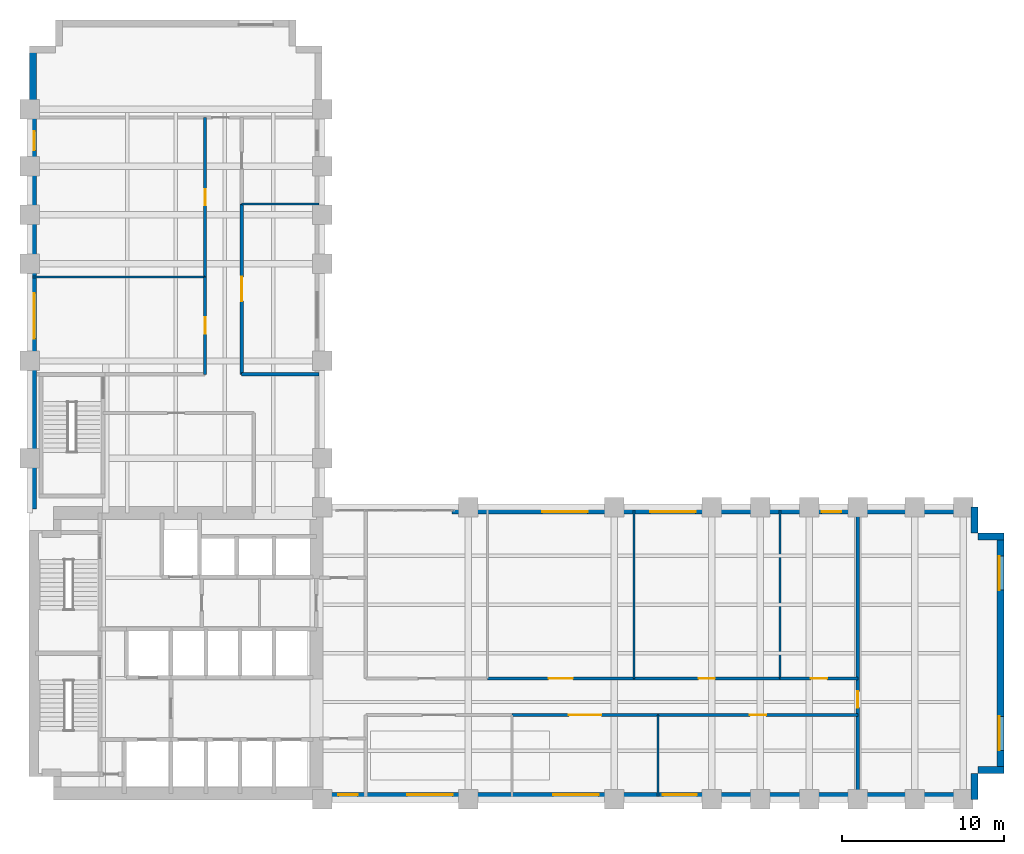
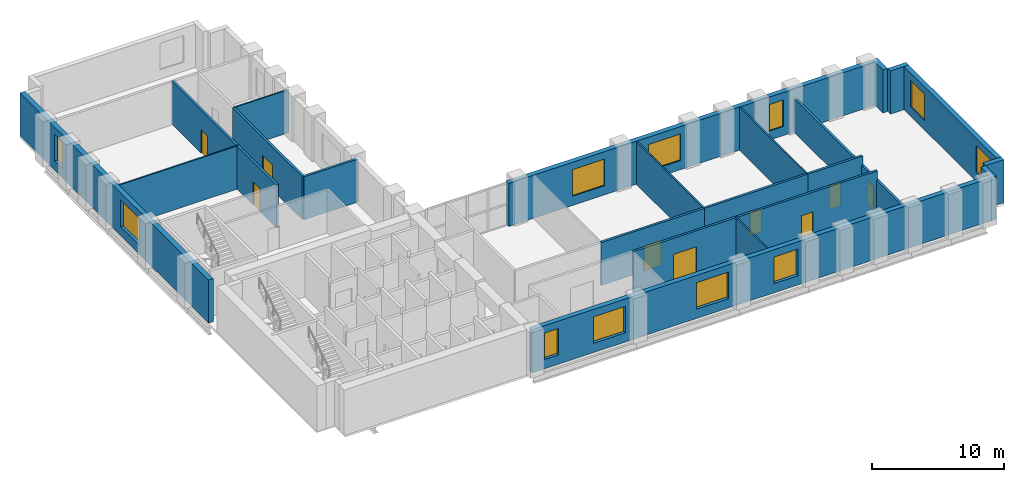
# One storey, part 6 of 8: 23 walls, 11 windows, 9 doors, 20 openings.
"""IFC4 building model written with IfcOpenShell, lengths in metres."""

from ifc_helpers import new_model, si_unit, direction, frame, frame_2d, origin, place, context, subcontext, project, spatial, rectangle, extrude, material, layer, layer_set, type_object, element, fill, save


model = new_model("IFC4")

# Units and contexts
model_context = context("Model", 3, precision=1e-05, world=origin(), true_north=direction((0.0, 1.0)))
body_context = subcontext(model_context, "Body", "Model", "MODEL_VIEW")
ifc_project = project(units=[si_unit("LENGTHUNIT", "METRE"), si_unit("AREAUNIT", "SQUARE_METRE"), si_unit("VOLUMEUNIT", "CUBIC_METRE"), si_unit("PLANEANGLEUNIT", "RADIAN"), si_unit("MASSUNIT", "GRAM", prefix="KILO")], contexts=[model_context])

# Site, building, storey
site_placement = place(None, origin())
site = spatial("IfcSite", under=ifc_project, at=site_placement, CompositionType="ELEMENT")
building_placement = place(site_placement, origin())
building = spatial("IfcBuilding", under=site, at=building_placement, Name="Mawjdan Bourse Tower", CompositionType="ELEMENT")
storey_placement = place(building_placement, frame((0.0, 0.0, 25.800048828125)))
storey = spatial("IfcBuildingStorey", under=building, at=storey_placement, Name="L05", CompositionType="ELEMENT", Elevation=25.800048828125)

# Wall, openings, windows
ifc_material_1 = material(Name="Brick Masonry Buff", Category="masonry")
ifc_layer_1 = layer(ifc_material_1, 0.419921875)
ifc_layer_set_1 = layer_set([ifc_layer_1], Name="Brick Masonry Buff")
wall_type_1 = type_object("IfcWallType", Name="WL-BRK-BUFF-420", PredefinedType="STANDARD", material=ifc_layer_set_1)
wall_1_placement = place(storey_placement, frame((23.89990234375, 3.2099609375, 0.0), z_axis=(0.0, 0.0, 1.0), x_axis=(1.0, 0.0, 0.0)))
wall_1 = element("IfcWall", 1, at=wall_1_placement, inside=storey, type_object=wall_type_1, Name="L05 Exterior Brick Wall 1", PredefinedType="STANDARD", context=body_context, shape_type="SweptSolid", body=[
    extrude(rectangle(XDim=40.5, YDim=0.419921875, at=frame_2d((20.25, 0.0))), origin(), (0.0, 0.0, 1.0), 3.97998046875),
])
opening_1_placement = place(wall_1_placement, frame((1.10009765625, 0.0, 0.85009765625)))
opening_1 = element("IfcOpeningElement", 2, at=opening_1_placement, cuts=wall_1, Name="Opening W-L05-07", PredefinedType="OPENING", context=body_context, shape_type="SweptSolid", body=[
    extrude(rectangle(XDim=1.199951171875, YDim=2.449951171875, at=frame_2d((0.60009765625, 1.22509765625))), frame((0.0, 0.219970703125, 0.0), z_axis=(0.0, -1.0, 0.0), x_axis=(1.0, 0.0, 0.0)), (0.0, 0.0, 1.0), 0.43994140625),
])
opening_2_placement = place(wall_1_placement, frame((5.336181640625, 0.0, 0.85009765625)))
opening_2 = element("IfcOpeningElement", 3, at=opening_2_placement, cuts=wall_1, Name="Opening W-L05-08", PredefinedType="OPENING", context=body_context, shape_type="SweptSolid", body=[
    extrude(rectangle(XDim=2.800048828125, YDim=2.449951171875, at=frame_2d((1.39990234375, 1.22509765625))), frame((0.0, 0.219970703125, 0.0), z_axis=(0.0, -1.0, 0.0), x_axis=(1.0, 0.0, 0.0)), (0.0, 0.0, 1.0), 0.43994140625),
])
opening_3_placement = place(wall_1_placement, frame((14.336181640625, 0.0, 0.85009765625)))
opening_3 = element("IfcOpeningElement", 4, at=opening_3_placement, cuts=wall_1, Name="Opening W-L05-09", PredefinedType="OPENING", context=body_context, shape_type="SweptSolid", body=[
    extrude(rectangle(XDim=2.800048828125, YDim=2.449951171875, at=frame_2d((1.39990234375, 1.22509765625))), frame((0.0, 0.219970703125, 0.0), z_axis=(0.0, -1.0, 0.0), x_axis=(1.0, 0.0, 0.0)), (0.0, 0.0, 1.0), 0.43994140625),
])
opening_4_placement = place(wall_1_placement, frame((21.086181640625, 0.0, 0.85009765625)))
opening_4 = element("IfcOpeningElement", 5, at=opening_4_placement, cuts=wall_1, Name="Opening W-L05-10", PredefinedType="OPENING", context=body_context, shape_type="SweptSolid", body=[
    extrude(rectangle(XDim=2.10009765625, YDim=2.449951171875, at=frame_2d((1.050048828125, 1.22509765625))), frame((0.0, 0.219970703125, 0.0), z_axis=(0.0, -1.0, 0.0), x_axis=(1.0, 0.0, 0.0)), (0.0, 0.0, 1.0), 0.43994140625),
])
ifc_material_2 = material(Name="Solar-Control Clear Double Glazing", Category="glass")
window_type_1 = type_object("IfcWindowType", Name="WN-TRD-1200", PartitioningType="SINGLE_PANEL", PredefinedType="WINDOW", material=ifc_material_2)
window_1_placement = place(opening_1_placement, origin())
window_1 = element("IfcWindow", 6, at=window_1_placement, inside=storey, type_object=window_type_1, Name="L05 Deep-Set Masonry Window W-L05-07", OverallHeight=2.449951171875, OverallWidth=1.199951171875, PartitioningType="SINGLE_PANEL", PredefinedType="WINDOW", context=body_context, shape_type="SweptSolid", body=[
    extrude(rectangle(XDim=1.199951171875, YDim=2.449951171875, at=frame_2d((0.60009765625, 1.22509765625))), frame((0.0, 0.110107421875, 0.0), z_axis=(0.0, -1.0, 0.0), x_axis=(1.0, 0.0, 0.0)), (0.0, 0.0, 1.0), 0.06005859375),
])
fill(opening_1, window_1)
window_type_2 = type_object("IfcWindowType", Name="WN-TRD-2100", PartitioningType="SINGLE_PANEL", PredefinedType="WINDOW", material=ifc_material_2)
window_2_placement = place(opening_4_placement, origin())
window_2 = element("IfcWindow", 7, at=window_2_placement, inside=storey, type_object=window_type_2, Name="L05 Deep-Set Masonry Window W-L05-10", OverallHeight=2.449951171875, OverallWidth=2.10009765625, PartitioningType="SINGLE_PANEL", PredefinedType="WINDOW", context=body_context, shape_type="SweptSolid", body=[
    extrude(rectangle(XDim=2.10009765625, YDim=2.449951171875, at=frame_2d((1.050048828125, 1.22509765625))), frame((0.0, 0.110107421875, 0.0), z_axis=(0.0, -1.0, 0.0), x_axis=(1.0, 0.0, 0.0)), (0.0, 0.0, 1.0), 0.06005859375),
])
fill(opening_4, window_2)
window_type_3 = type_object("IfcWindowType", Name="WN-TRD-2800", PartitioningType="SINGLE_PANEL", PredefinedType="WINDOW", material=ifc_material_2)
window_3_placement = place(opening_2_placement, origin())
window_3 = element("IfcWindow", 8, at=window_3_placement, inside=storey, type_object=window_type_3, Name="L05 Deep-Set Masonry Window W-L05-08", OverallHeight=2.449951171875, OverallWidth=2.800048828125, PartitioningType="SINGLE_PANEL", PredefinedType="WINDOW", context=body_context, shape_type="SweptSolid", body=[
    extrude(rectangle(XDim=2.800048828125, YDim=2.449951171875, at=frame_2d((1.39990234375, 1.22509765625))), frame((0.0, 0.110107421875, 0.0), z_axis=(0.0, -1.0, 0.0), x_axis=(1.0, 0.0, 0.0)), (0.0, 0.0, 1.0), 0.06005859375),
])
fill(opening_2, window_3)
window_4_placement = place(opening_3_placement, origin())
window_4 = element("IfcWindow", 9, at=window_4_placement, inside=storey, type_object=window_type_3, Name="L05 Deep-Set Masonry Window W-L05-09", OverallHeight=2.449951171875, OverallWidth=2.800048828125, PartitioningType="SINGLE_PANEL", PredefinedType="WINDOW", context=body_context, shape_type="SweptSolid", body=[
    extrude(rectangle(XDim=2.800048828125, YDim=2.449951171875, at=frame_2d((1.39990234375, 1.22509765625))), frame((0.0, 0.110107421875, 0.0), z_axis=(0.0, -1.0, 0.0), x_axis=(1.0, 0.0, 0.0)), (0.0, 0.0, 1.0), 0.06005859375),
])
fill(opening_3, window_4)

# Walls
for number, where, z_axis, x_axis, name in (
    (10, (64.18994140625, 3.0, 0.0), (0.0, 0.0, 1.0), (0.0, 1.0, 0.0), "L05 Exterior Brick Wall 2"),
    (11, (64.39990234375, 4.81005859375, 0.0), (0.0, 0.0, 1.0), (1.0, 0.0, 0.0), "L05 Exterior Brick Wall 3"),
):
    element("IfcWall", number, at=place(storey_placement, frame(where, z_axis=z_axis, x_axis=x_axis)), inside=storey, type_object=wall_type_1, Name=name, PredefinedType="STANDARD", context=body_context, shape_type="SweptSolid", body=[
        extrude(rectangle(XDim=1.60009765625, YDim=0.419921875, at=frame_2d((0.800048828125, 0.0))), origin(), (0.0, 0.0, 1.0), 3.97998046875),
    ])

# Wall, openings, windows
wall_2_placement = place(storey_placement, frame((65.7900390625, 4.60009765625, 0.0), z_axis=(0.0, 0.0, 1.0), x_axis=(0.0, 1.0, 0.0)))
wall_2 = element("IfcWall", 12, at=wall_2_placement, inside=storey, type_object=wall_type_1, Name="L05 Exterior Brick Wall 4", PredefinedType="STANDARD", context=body_context, shape_type="SweptSolid", body=[
    extrude(rectangle(XDim=14.7998046875, YDim=0.419921875, at=frame_2d((7.39990234375, 0.0))), origin(), (0.0, 0.0, 1.0), 3.97998046875),
])
opening_5_placement = place(wall_2_placement, frame((1.416748046875, 0.0, 0.85009765625)))
opening_5 = element("IfcOpeningElement", 13, at=opening_5_placement, cuts=wall_2, Name="Opening W-L05-01", PredefinedType="OPENING", context=body_context, shape_type="SweptSolid", body=[
    extrude(rectangle(XDim=2.10009765625, YDim=2.449951171875, at=frame_2d((1.050048828125, 1.22509765625))), frame((0.0, 0.219970703125, 0.0), z_axis=(0.0, -1.0, 0.0), x_axis=(1.0, 0.0, 0.0)), (0.0, 0.0, 1.0), 0.43994140625),
])
opening_6_placement = place(wall_2_placement, frame((11.283203125, 0.0, 0.85009765625)))
opening_6 = element("IfcOpeningElement", 14, at=opening_6_placement, cuts=wall_2, Name="Opening W-L05-02", PredefinedType="OPENING", context=body_context, shape_type="SweptSolid", body=[
    extrude(rectangle(XDim=2.10009765625, YDim=2.449951171875, at=frame_2d((1.050048828125, 1.22509765625))), frame((0.0, 0.219970703125, 0.0), z_axis=(0.0, -1.0, 0.0), x_axis=(1.0, 0.0, 0.0)), (0.0, 0.0, 1.0), 0.43994140625),
])
window_5_placement = place(opening_5_placement, origin())
window_5 = element("IfcWindow", 15, at=window_5_placement, inside=storey, type_object=window_type_2, Name="L05 Deep-Set Masonry Window W-L05-01", OverallHeight=2.449951171875, OverallWidth=2.10009765625, PartitioningType="SINGLE_PANEL", PredefinedType="WINDOW", context=body_context, shape_type="SweptSolid", body=[
    extrude(rectangle(XDim=2.10009765625, YDim=2.449951171875, at=frame_2d((1.050048828125, 1.22509765625))), frame((0.0, 0.110107421875, 0.0), z_axis=(0.0, -1.0, 0.0), x_axis=(1.0, 0.0, 0.0)), (0.0, 0.0, 1.0), 0.06005859375),
])
fill(opening_5, window_5)
window_6_placement = place(opening_6_placement, origin())
window_6 = element("IfcWindow", 16, at=window_6_placement, inside=storey, type_object=window_type_2, Name="L05 Deep-Set Masonry Window W-L05-02", OverallHeight=2.449951171875, OverallWidth=2.10009765625, PartitioningType="SINGLE_PANEL", PredefinedType="WINDOW", context=body_context, shape_type="SweptSolid", body=[
    extrude(rectangle(XDim=2.10009765625, YDim=2.449951171875, at=frame_2d((1.050048828125, 1.22509765625))), frame((0.0, 0.110107421875, 0.0), z_axis=(0.0, -1.0, 0.0), x_axis=(1.0, 0.0, 0.0)), (0.0, 0.0, 1.0), 0.06005859375),
])
fill(opening_6, window_6)

# Walls
for number, where, z_axis, x_axis, name in (
    (17, (66.0, 19.18994140625, 0.0), (0.0, 0.0, 1.0), (-1.0, 0.0, 0.0), "L05 Exterior Brick Wall 5"),
    (18, (64.18994140625, 19.39990234375, 0.0), (0.0, 0.0, 1.0), (0.0, 1.0, 0.0), "L05 Exterior Brick Wall 6"),
):
    element("IfcWall", number, at=place(storey_placement, frame(where, z_axis=z_axis, x_axis=x_axis)), inside=storey, type_object=wall_type_1, Name=name, PredefinedType="STANDARD", context=body_context, shape_type="SweptSolid", body=[
        extrude(rectangle(XDim=1.60009765625, YDim=0.419921875, at=frame_2d((0.800048828125, 0.0))), origin(), (0.0, 0.0, 1.0), 3.97998046875),
    ])

# Wall, openings, windows
wall_3_placement = place(storey_placement, frame((64.39990234375, 20.7900390625, 0.0), z_axis=(0.0, 0.0, 1.0), x_axis=(-1.0, 0.0, 0.0)))
wall_3 = element("IfcWall", 19, at=wall_3_placement, inside=storey, type_object=wall_type_1, Name="L05 Exterior Brick Wall 7A", PredefinedType="STANDARD", context=body_context, shape_type="SweptSolid", body=[
    extrude(rectangle(XDim=32.3798828125, YDim=0.419921875, at=frame_2d((16.18994140625, 0.0))), origin(), (0.0, 0.0, 1.0), 3.97998046875),
])
opening_7_placement = place(wall_3_placement, frame((24.04150390625, 0.0, 0.85009765625)))
opening_7 = element("IfcOpeningElement", 20, at=opening_7_placement, cuts=wall_3, Name="Opening W-L05-03", PredefinedType="OPENING", context=body_context, shape_type="SweptSolid", body=[
    extrude(rectangle(XDim=2.800048828125, YDim=2.449951171875, at=frame_2d((1.39990234375, 1.22509765625))), frame((0.0, 0.219970703125, 0.0), z_axis=(0.0, -1.0, 0.0), x_axis=(1.0, 0.0, 0.0)), (0.0, 0.0, 1.0), 0.43994140625),
])
opening_8_placement = place(wall_3_placement, frame((17.38623046875, 0.0, 0.85009765625)))
opening_8 = element("IfcOpeningElement", 21, at=opening_8_placement, cuts=wall_3, Name="Opening W-L05-11", PredefinedType="OPENING", context=body_context, shape_type="SweptSolid", body=[
    extrude(rectangle(XDim=2.800048828125, YDim=2.449951171875, at=frame_2d((1.39990234375, 1.22509765625))), frame((0.0, 0.219970703125, 0.0), z_axis=(0.0, -1.0, 0.0), x_axis=(1.0, 0.0, 0.0)), (0.0, 0.0, 1.0), 0.43994140625),
])
opening_9_placement = place(wall_3_placement, frame((8.436279296875, 0.0, 0.85009765625)))
opening_9 = element("IfcOpeningElement", 22, at=opening_9_placement, cuts=wall_3, Name="Opening W-L05-12", PredefinedType="OPENING", context=body_context, shape_type="SweptSolid", body=[
    extrude(rectangle(XDim=1.199951171875, YDim=2.449951171875, at=frame_2d((0.60009765625, 1.22509765625))), frame((0.0, 0.219970703125, 0.0), z_axis=(0.0, -1.0, 0.0), x_axis=(1.0, 0.0, 0.0)), (0.0, 0.0, 1.0), 0.43994140625),
])
window_7_placement = place(opening_9_placement, origin())
window_7 = element("IfcWindow", 23, at=window_7_placement, inside=storey, type_object=window_type_1, Name="L05 Deep-Set Masonry Window W-L05-12", OverallHeight=2.449951171875, OverallWidth=1.199951171875, PartitioningType="SINGLE_PANEL", PredefinedType="WINDOW", context=body_context, shape_type="SweptSolid", body=[
    extrude(rectangle(XDim=1.199951171875, YDim=2.449951171875, at=frame_2d((0.60009765625, 1.22509765625))), frame((0.0, 0.110107421875, 0.0), z_axis=(0.0, -1.0, 0.0), x_axis=(1.0, 0.0, 0.0)), (0.0, 0.0, 1.0), 0.06005859375),
])
fill(opening_9, window_7)
window_8_placement = place(opening_7_placement, origin())
window_8 = element("IfcWindow", 24, at=window_8_placement, inside=storey, type_object=window_type_3, Name="L05 Deep-Set Masonry Window W-L05-03", OverallHeight=2.449951171875, OverallWidth=2.800048828125, PartitioningType="SINGLE_PANEL", PredefinedType="WINDOW", context=body_context, shape_type="SweptSolid", body=[
    extrude(rectangle(XDim=2.800048828125, YDim=2.449951171875, at=frame_2d((1.39990234375, 1.22509765625))), frame((0.0, 0.110107421875, 0.0), z_axis=(0.0, -1.0, 0.0), x_axis=(1.0, 0.0, 0.0)), (0.0, 0.0, 1.0), 0.06005859375),
])
fill(opening_7, window_8)
window_9_placement = place(opening_8_placement, origin())
window_9 = element("IfcWindow", 25, at=window_9_placement, inside=storey, type_object=window_type_3, Name="L05 Deep-Set Masonry Window W-L05-11", OverallHeight=2.449951171875, OverallWidth=2.800048828125, PartitioningType="SINGLE_PANEL", PredefinedType="WINDOW", context=body_context, shape_type="SweptSolid", body=[
    extrude(rectangle(XDim=2.800048828125, YDim=2.449951171875, at=frame_2d((1.39990234375, 1.22509765625))), frame((0.0, 0.110107421875, 0.0), z_axis=(0.0, -1.0, 0.0), x_axis=(1.0, 0.0, 0.0)), (0.0, 0.0, 1.0), 0.06005859375),
])
fill(opening_8, window_9)

wall_4_placement = place(storey_placement, frame((6.2099609375, 49.39990234375, 0.0), z_axis=(0.0, 0.0, 1.0), x_axis=(0.0, -1.0, 0.0)))
wall_4 = element("IfcWall", 26, at=wall_4_placement, inside=storey, type_object=wall_type_1, Name="L05 Exterior Brick Wall 14", PredefinedType="STANDARD", context=body_context, shape_type="SweptSolid", body=[
    extrude(rectangle(XDim=28.5, YDim=0.419921875, at=frame_2d((14.25, 0.0))), origin(), (0.0, 0.0, 1.0), 3.97998046875),
])
opening_10_placement = place(wall_4_placement, frame((15.22509765625, 0.0, 0.85009765625)))
opening_10 = element("IfcOpeningElement", 27, at=opening_10_placement, cuts=wall_4, Name="Opening W-L05-06", PredefinedType="OPENING", context=body_context, shape_type="SweptSolid", body=[
    extrude(rectangle(XDim=2.800048828125, YDim=2.449951171875, at=frame_2d((1.39990234375, 1.22509765625))), frame((0.0, 0.219970703125, 0.0), z_axis=(0.0, -1.0, 0.0), x_axis=(1.0, 0.0, 0.0)), (0.0, 0.0, 1.0), 0.43994140625),
])
opening_11_placement = place(wall_4_placement, frame((5.236083984375, 0.0, 0.85009765625)))
opening_11 = element("IfcOpeningElement", 28, at=opening_11_placement, cuts=wall_4, Name="Opening W-L05-13", PredefinedType="OPENING", context=body_context, shape_type="SweptSolid", body=[
    extrude(rectangle(XDim=1.199951171875, YDim=2.449951171875, at=frame_2d((0.60009765625, 1.22509765625))), frame((0.0, 0.219970703125, 0.0), z_axis=(0.0, -1.0, 0.0), x_axis=(1.0, 0.0, 0.0)), (0.0, 0.0, 1.0), 0.43994140625),
])
window_10_placement = place(opening_11_placement, origin())
window_10 = element("IfcWindow", 29, at=window_10_placement, inside=storey, type_object=window_type_1, Name="L05 Deep-Set Masonry Window W-L05-13", OverallHeight=2.449951171875, OverallWidth=1.199951171875, PartitioningType="SINGLE_PANEL", PredefinedType="WINDOW", context=body_context, shape_type="SweptSolid", body=[
    extrude(rectangle(XDim=1.199951171875, YDim=2.449951171875, at=frame_2d((0.60009765625, 1.22509765625))), frame((0.0, 0.110107421875, 0.0), z_axis=(0.0, -1.0, 0.0), x_axis=(1.0, 0.0, 0.0)), (0.0, 0.0, 1.0), 0.06005859375),
])
fill(opening_11, window_10)
window_11_placement = place(opening_10_placement, origin())
window_11 = element("IfcWindow", 30, at=window_11_placement, inside=storey, type_object=window_type_3, Name="L05 Deep-Set Masonry Window W-L05-06", OverallHeight=2.449951171875, OverallWidth=2.800048828125, PartitioningType="SINGLE_PANEL", PredefinedType="WINDOW", context=body_context, shape_type="SweptSolid", body=[
    extrude(rectangle(XDim=2.800048828125, YDim=2.449951171875, at=frame_2d((1.39990234375, 1.22509765625))), frame((0.0, 0.110107421875, 0.0), z_axis=(0.0, -1.0, 0.0), x_axis=(1.0, 0.0, 0.0)), (0.0, 0.0, 1.0), 0.06005859375),
])
fill(opening_10, window_11)

# Wall, opening, door
ifc_material_3 = material(Name="Gypsum Fireboard Assembly")
ifc_layer_2 = layer(ifc_material_3, 0.199951171875)
ifc_layer_set_2 = layer_set([ifc_layer_2], Name="Gypsum Fireboard Assembly")
wall_type_2 = type_object("IfcWallType", Name="WL-CMP-200", PredefinedType="PARTITIONING", material=ifc_layer_set_2)
wall_5_placement = place(storey_placement, frame((35.699951171875, 8.199951171875, 0.0), z_axis=(0.0, 0.0, 1.0), x_axis=(1.0, 0.0, 0.0)))
wall_5 = element("IfcWall", 31, at=wall_5_placement, inside=storey, type_object=wall_type_2, Name="L05 Derivatives Dealing Hall Corridor Wall", PredefinedType="PARTITIONING", context=body_context, shape_type="SweptSolid", body=[
    extrude(rectangle(XDim=9.0, YDim=0.199951171875, at=frame_2d((4.5, 0.0))), origin(), (0.0, 0.0, 1.0), 3.969970703125),
])
opening_12_placement = place(wall_5_placement, frame((3.5, 0.0, 0.0)))
opening_12 = element("IfcOpeningElement", 32, at=opening_12_placement, cuts=wall_5, Name="Opening D-L05-20", PredefinedType="OPENING", context=body_context, shape_type="SweptSolid", body=[
    extrude(rectangle(XDim=2.0, YDim=2.5, at=frame_2d((1.0, 1.25))), frame((0.0, 0.10986328125, 0.0), z_axis=(0.0, -1.0, 0.0), x_axis=(1.0, 0.0, 0.0)), (0.0, 0.0, 1.0), 0.219970703125),
])
ifc_material_4 = material(Name="Acoustic Veneered Timber", Category="wood")
door_type_1 = type_object("IfcDoorType", Name="DR-ASM-2000", OperationType="DOUBLE_DOOR_SINGLE_SWING", PredefinedType="DOOR", material=ifc_material_4)
door_1_placement = place(opening_12_placement, origin())
door_1 = element("IfcDoor", 33, at=door_1_placement, inside=storey, type_object=door_type_1, Name="L05 Derivatives Dealing Hall Door D-L05-20", OperationType="DOUBLE_DOOR_SINGLE_SWING", OverallHeight=2.5, OverallWidth=2.0, PredefinedType="DOOR", context=body_context, shape_type="SweptSolid", body=[
    extrude(rectangle(XDim=2.0, YDim=2.5, at=frame_2d((1.0, 1.25))), frame((0.0, 0.02490234375, 0.0), z_axis=(0.0, -1.0, 0.0), x_axis=(1.0, 0.0, 0.0)), (0.0, 0.0, 1.0), 0.050048828125),
])
fill(opening_12, door_1)

wall_6_placement = place(storey_placement, frame((44.699951171875, 8.199951171875, 0.0), z_axis=(0.0, 0.0, 1.0), x_axis=(1.0, 0.0, 0.0)))
wall_6 = element("IfcWall", 34, at=wall_6_placement, inside=storey, type_object=wall_type_2, Name="L05 Executive Office Corridor Wall", PredefinedType="PARTITIONING", context=body_context, shape_type="SweptSolid", body=[
    extrude(rectangle(XDim=12.300048828125, YDim=0.199951171875, at=frame_2d((6.14990234375, 0.0))), origin(), (0.0, 0.0, 1.0), 3.969970703125),
])
opening_13_placement = place(wall_6_placement, frame((5.64990234375, 0.0, 0.0)))
opening_13 = element("IfcOpeningElement", 35, at=opening_13_placement, cuts=wall_6, Name="Opening D-L05-21", PredefinedType="OPENING", context=body_context, shape_type="SweptSolid", body=[
    extrude(rectangle(XDim=1.0, YDim=2.14990234375, at=frame_2d((0.5, 1.074951171875))), frame((0.0, 0.10986328125, 0.0), z_axis=(0.0, -1.0, 0.0), x_axis=(1.0, 0.0, 0.0)), (0.0, 0.0, 1.0), 0.219970703125),
])
ifc_material_5 = material(Name="Hardwood Acoustic Leaf", Category="wood")
door_type_2 = type_object("IfcDoorType", Name="DR-OFC-1000", OperationType="NOTDEFINED", PredefinedType="DOOR", material=ifc_material_5)
door_2_placement = place(opening_13_placement, origin())
door_2 = element("IfcDoor", 36, at=door_2_placement, inside=storey, type_object=door_type_2, Name="L05 Executive Office Door D-L05-21", OperationType="SINGLE_SWING_LEFT", OverallHeight=2.14990234375, OverallWidth=1.0, PredefinedType="DOOR", context=body_context, shape_type="SweptSolid", body=[
    extrude(rectangle(XDim=1.0, YDim=2.14990234375, at=frame_2d((0.5, 1.074951171875))), frame((0.0, 0.02490234375, 0.0), z_axis=(0.0, -1.0, 0.0), x_axis=(1.0, 0.0, 0.0)), (0.0, 0.0, 1.0), 0.050048828125),
])
fill(opening_13, door_2)

wall_7_placement = place(storey_placement, frame((34.199951171875, 10.449951171875, 0.0), z_axis=(0.0, 0.0, 1.0), x_axis=(1.0, 0.0, 0.0)))
wall_7 = element("IfcWall", 37, at=wall_7_placement, inside=storey, type_object=wall_type_2, Name="L05 Conference Room Corridor Wall", PredefinedType="PARTITIONING", context=body_context, shape_type="SweptSolid", body=[
    extrude(rectangle(XDim=9.0, YDim=0.199951171875, at=frame_2d((4.5, 0.0))), origin(), (0.0, 0.0, 1.0), 3.969970703125),
])
opening_14_placement = place(wall_7_placement, frame((3.75, 0.0, 0.0)))
opening_14 = element("IfcOpeningElement", 38, at=opening_14_placement, cuts=wall_7, Name="Opening D-L05-23", PredefinedType="OPENING", context=body_context, shape_type="SweptSolid", body=[
    extrude(rectangle(XDim=1.5, YDim=2.300048828125, at=frame_2d((0.75, 1.14990234375))), frame((0.0, 0.10986328125, 0.0), z_axis=(0.0, -1.0, 0.0), x_axis=(1.0, 0.0, 0.0)), (0.0, 0.0, 1.0), 0.219970703125),
])
ifc_material_6 = material(Name="Acoustic Glazed Timber", Category="wood")
door_type_3 = type_object("IfcDoorType", Name="DR-CNF-1500", OperationType="DOUBLE_DOOR_SINGLE_SWING", PredefinedType="DOOR", material=ifc_material_6)
door_3_placement = place(opening_14_placement, origin())
door_3 = element("IfcDoor", 39, at=door_3_placement, inside=storey, type_object=door_type_3, Name="L05 Conference Room Door D-L05-23", OperationType="DOUBLE_DOOR_SINGLE_SWING", OverallHeight=2.300048828125, OverallWidth=1.5, PredefinedType="DOOR", context=body_context, shape_type="SweptSolid", body=[
    extrude(rectangle(XDim=1.5, YDim=2.300048828125, at=frame_2d((0.75, 1.14990234375))), frame((0.0, 0.02490234375, 0.0), z_axis=(0.0, -1.0, 0.0), x_axis=(1.0, 0.0, 0.0)), (0.0, 0.0, 1.0), 0.050048828125),
])
fill(opening_14, door_3)

wall_8_placement = place(storey_placement, frame((43.199951171875, 10.449951171875, 0.0), z_axis=(0.0, 0.0, 1.0), x_axis=(1.0, 0.0, 0.0)))
wall_8 = element("IfcWall", 40, at=wall_8_placement, inside=storey, type_object=wall_type_2, Name="L05 Client Meeting Room Corridor Wall", PredefinedType="PARTITIONING", context=body_context, shape_type="SweptSolid", body=[
    extrude(rectangle(XDim=9.0, YDim=0.199951171875, at=frame_2d((4.5, 0.0))), origin(), (0.0, 0.0, 1.0), 3.969970703125),
])
opening_15_placement = place(wall_8_placement, frame((4.0, 0.0, 0.0)))
opening_15 = element("IfcOpeningElement", 41, at=opening_15_placement, cuts=wall_8, Name="Opening D-L05-24", PredefinedType="OPENING", context=body_context, shape_type="SweptSolid", body=[
    extrude(rectangle(XDim=1.0, YDim=2.14990234375, at=frame_2d((0.5, 1.074951171875))), frame((0.0, 0.10986328125, 0.0), z_axis=(0.0, -1.0, 0.0), x_axis=(1.0, 0.0, 0.0)), (0.0, 0.0, 1.0), 0.219970703125),
])
door_4_placement = place(opening_15_placement, origin())
door_4 = element("IfcDoor", 42, at=door_4_placement, inside=storey, type_object=door_type_2, Name="L05 Client Meeting Room Door D-L05-24", OperationType="SINGLE_SWING_LEFT", OverallHeight=2.14990234375, OverallWidth=1.0, PredefinedType="DOOR", context=body_context, shape_type="SweptSolid", body=[
    extrude(rectangle(XDim=1.0, YDim=2.14990234375, at=frame_2d((0.5, 1.074951171875))), frame((0.0, 0.02490234375, 0.0), z_axis=(0.0, -1.0, 0.0), x_axis=(1.0, 0.0, 0.0)), (0.0, 0.0, 1.0), 0.050048828125),
])
fill(opening_15, door_4)

wall_9_placement = place(storey_placement, frame((52.199951171875, 10.449951171875, 0.0), z_axis=(0.0, 0.0, 1.0), x_axis=(1.0, 0.0, 0.0)))
wall_9 = element("IfcWall", 43, at=wall_9_placement, inside=storey, type_object=wall_type_2, Name="L05 Staff Tea Pantry Corridor Wall", PredefinedType="PARTITIONING", context=body_context, shape_type="SweptSolid", body=[
    extrude(rectangle(XDim=4.800048828125, YDim=0.199951171875, at=frame_2d((2.39990234375, 0.0))), origin(), (0.0, 0.0, 1.0), 3.969970703125),
])
opening_16_placement = place(wall_9_placement, frame((1.89990234375, 0.0, 0.0)))
opening_16 = element("IfcOpeningElement", 44, at=opening_16_placement, cuts=wall_9, Name="Opening D-L05-25", PredefinedType="OPENING", context=body_context, shape_type="SweptSolid", body=[
    extrude(rectangle(XDim=1.0, YDim=2.14990234375, at=frame_2d((0.5, 1.074951171875))), frame((0.0, 0.10986328125, 0.0), z_axis=(0.0, -1.0, 0.0), x_axis=(1.0, 0.0, 0.0)), (0.0, 0.0, 1.0), 0.219970703125),
])
door_5_placement = place(opening_16_placement, origin())
door_5 = element("IfcDoor", 45, at=door_5_placement, inside=storey, type_object=door_type_2, Name="L05 Staff Tea Pantry Door D-L05-25", OperationType="SINGLE_SWING_RIGHT", OverallHeight=2.14990234375, OverallWidth=1.0, PredefinedType="DOOR", context=body_context, shape_type="SweptSolid", body=[
    extrude(rectangle(XDim=1.0, YDim=2.14990234375, at=frame_2d((0.5, 1.074951171875))), frame((0.0, 0.02490234375, 0.0), z_axis=(0.0, -1.0, 0.0), x_axis=(1.0, 0.0, 0.0)), (0.0, 0.0, 1.0), 0.050048828125),
])
fill(opening_16, door_5)

wall_10_placement = place(storey_placement, frame((57.0, 3.179931640625, 0.0), z_axis=(0.0, 0.0, 1.0), x_axis=(0.0, 1.0, 0.0)))
wall_10 = element("IfcWall", 46, at=wall_10_placement, inside=storey, type_object=wall_type_2, Name="L05 East Tip Full Cross Wall", PredefinedType="PARTITIONING", context=body_context, shape_type="SweptSolid", body=[
    extrude(rectangle(XDim=17.64013671875, YDim=0.199951171875, at=frame_2d((8.820068359375, 0.0))), origin(), (0.0, 0.0, 1.0), 3.114013671875),
])
opening_17_placement = place(wall_10_placement, frame((5.47509765625, 0.0, 0.0)))
opening_17 = element("IfcOpeningElement", 47, at=opening_17_placement, cuts=wall_10, Name="Opening D-L05-26", PredefinedType="OPENING", context=body_context, shape_type="SweptSolid", body=[
    extrude(rectangle(XDim=1.0, YDim=2.14990234375, at=frame_2d((0.5, 1.074951171875))), frame((0.0, 0.10986328125, 0.0), z_axis=(0.0, -1.0, 0.0), x_axis=(1.0, 0.0, 0.0)), (0.0, 0.0, 1.0), 0.219970703125),
])
door_6_placement = place(opening_17_placement, origin())
door_6 = element("IfcDoor", 48, at=door_6_placement, inside=storey, type_object=door_type_2, Name="L05 East Tip Hall Door D-L05-26", OperationType="SINGLE_SWING_LEFT", OverallHeight=2.14990234375, OverallWidth=1.0, PredefinedType="DOOR", context=body_context, shape_type="SweptSolid", body=[
    extrude(rectangle(XDim=1.0, YDim=2.14990234375, at=frame_2d((0.5, 1.074951171875))), frame((0.0, 0.02490234375, 0.0), z_axis=(0.0, -1.0, 0.0), x_axis=(1.0, 0.0, 0.0)), (0.0, 0.0, 1.0), 0.050048828125),
])
fill(opening_17, door_6)

# Wall
wall_11_placement = place(storey_placement, frame((19.050048828125, 29.179931640625, 0.0), z_axis=(0.0, 0.0, 1.0), x_axis=(1.0, 0.0, 0.0)))
element("IfcWall", 49, at=wall_11_placement, inside=storey, type_object=wall_type_2, Name="L05 North East Band South Wall", PredefinedType="PARTITIONING", context=body_context, shape_type="SweptSolid", body=[
    extrude(rectangle(XDim=4.77001953125, YDim=0.199951171875, at=frame_2d((2.385009765625, 0.0))), origin(), (0.0, 0.0, 1.0), 3.969970703125),
])

# Wall, opening, door
wall_12_placement = place(storey_placement, frame((16.800048828125, 29.179931640625, 0.0), z_axis=(0.0, 0.0, 1.0), x_axis=(0.0, 1.0, 0.0)))
wall_12 = element("IfcWall", 50, at=wall_12_placement, inside=storey, type_object=wall_type_2, Name="L05 Derivatives Dealing Hall Corridor Wall", PredefinedType="PARTITIONING", context=body_context, shape_type="SweptSolid", body=[
    extrude(rectangle(XDim=6.0, YDim=0.199951171875, at=frame_2d((3.0, 0.0))), origin(), (0.0, 0.0, 1.0), 3.969970703125),
])
opening_18_placement = place(wall_12_placement, frame((2.5, 0.0, 0.0)))
opening_18 = element("IfcOpeningElement", 51, at=opening_18_placement, cuts=wall_12, Name="Opening D-L05-28", PredefinedType="OPENING", context=body_context, shape_type="SweptSolid", body=[
    extrude(rectangle(XDim=1.0, YDim=2.14990234375, at=frame_2d((0.5, 1.074951171875))), frame((0.0, 0.10986328125, 0.0), z_axis=(0.0, -1.0, 0.0), x_axis=(1.0, 0.0, 0.0)), (0.0, 0.0, 1.0), 0.219970703125),
])
door_7_placement = place(opening_18_placement, origin())
door_7 = element("IfcDoor", 52, at=door_7_placement, inside=storey, type_object=door_type_2, Name="L05 Derivatives Dealing Hall Door D-L05-28", OperationType="SINGLE_SWING_LEFT", OverallHeight=2.14990234375, OverallWidth=1.0, PredefinedType="DOOR", context=body_context, shape_type="SweptSolid", body=[
    extrude(rectangle(XDim=1.0, YDim=2.14990234375, at=frame_2d((0.5, 1.074951171875))), frame((0.0, 0.02490234375, 0.0), z_axis=(0.0, -1.0, 0.0), x_axis=(1.0, 0.0, 0.0)), (0.0, 0.0, 1.0), 0.050048828125),
])
fill(opening_18, door_7)

wall_13_placement = place(storey_placement, frame((16.800048828125, 35.179931640625, 0.0), z_axis=(0.0, 0.0, 1.0), x_axis=(0.0, 1.0, 0.0)))
wall_13 = element("IfcWall", 53, at=wall_13_placement, inside=storey, type_object=wall_type_2, Name="L05 Executive Office Corridor Wall", PredefinedType="PARTITIONING", context=body_context, shape_type="SweptSolid", body=[
    extrude(rectangle(XDim=9.820068359375, YDim=0.199951171875, at=frame_2d((4.91015625, 0.0))), origin(), (0.0, 0.0, 1.0), 3.969970703125),
])
opening_19_placement = place(wall_13_placement, frame((4.409912109375, 0.0, 0.0)))
opening_19 = element("IfcOpeningElement", 54, at=opening_19_placement, cuts=wall_13, Name="Opening D-L05-29", PredefinedType="OPENING", context=body_context, shape_type="SweptSolid", body=[
    extrude(rectangle(XDim=1.0, YDim=2.14990234375, at=frame_2d((0.5, 1.074951171875))), frame((0.0, 0.10986328125, 0.0), z_axis=(0.0, -1.0, 0.0), x_axis=(1.0, 0.0, 0.0)), (0.0, 0.0, 1.0), 0.219970703125),
])
door_8_placement = place(opening_19_placement, origin())
door_8 = element("IfcDoor", 55, at=door_8_placement, inside=storey, type_object=door_type_2, Name="L05 Executive Office Door D-L05-29", OperationType="SINGLE_SWING_RIGHT", OverallHeight=2.14990234375, OverallWidth=1.0, PredefinedType="DOOR", context=body_context, shape_type="SweptSolid", body=[
    extrude(rectangle(XDim=1.0, YDim=2.14990234375, at=frame_2d((0.5, 1.074951171875))), frame((0.0, 0.02490234375, 0.0), z_axis=(0.0, -1.0, 0.0), x_axis=(1.0, 0.0, 0.0)), (0.0, 0.0, 1.0), 0.050048828125),
])
fill(opening_19, door_8)

wall_14_placement = place(storey_placement, frame((19.050048828125, 29.179931640625, 0.0), z_axis=(0.0, 0.0, 1.0), x_axis=(0.0, 1.0, 0.0)))
wall_14 = element("IfcWall", 56, at=wall_14_placement, inside=storey, type_object=wall_type_2, Name="L05 Conference Room Corridor Wall", PredefinedType="PARTITIONING", context=body_context, shape_type="SweptSolid", body=[
    extrude(rectangle(XDim=10.5, YDim=0.199951171875, at=frame_2d((5.25, 0.0))), origin(), (0.0, 0.0, 1.0), 3.969970703125),
])
opening_20_placement = place(wall_14_placement, frame((4.5, 0.0, 0.0)))
opening_20 = element("IfcOpeningElement", 57, at=opening_20_placement, cuts=wall_14, Name="Opening D-L05-30", PredefinedType="OPENING", context=body_context, shape_type="SweptSolid", body=[
    extrude(rectangle(XDim=1.5, YDim=2.300048828125, at=frame_2d((0.75, 1.14990234375))), frame((0.0, 0.10986328125, 0.0), z_axis=(0.0, -1.0, 0.0), x_axis=(1.0, 0.0, 0.0)), (0.0, 0.0, 1.0), 0.219970703125),
])
door_9_placement = place(opening_20_placement, origin())
door_9 = element("IfcDoor", 58, at=door_9_placement, inside=storey, type_object=door_type_3, Name="L05 Conference Room Door D-L05-30", OperationType="DOUBLE_DOOR_SINGLE_SWING", OverallHeight=2.300048828125, OverallWidth=1.5, PredefinedType="DOOR", context=body_context, shape_type="SweptSolid", body=[
    extrude(rectangle(XDim=1.5, YDim=2.300048828125, at=frame_2d((0.75, 1.14990234375))), frame((0.0, 0.02490234375, 0.0), z_axis=(0.0, -1.0, 0.0), x_axis=(1.0, 0.0, 0.0)), (0.0, 0.0, 1.0), 0.050048828125),
])
fill(opening_20, door_9)

# Walls
ifc_material_7 = material(Name="Gypsum Partition")
ifc_layer_3 = layer(ifc_material_7, 0.125)
ifc_layer_set_3 = layer_set([ifc_layer_3], Name="Gypsum Partition")
wall_type_3 = type_object("IfcWallType", Name="WL-PRT-125", PredefinedType="PARTITIONING", material=ifc_layer_set_3)
wall_15_placement = place(storey_placement, frame((44.699951171875, 3.179931640625, 0.0), z_axis=(0.0, 0.0, 1.0), x_axis=(0.0, 1.0, 0.0)))
element("IfcWall", 59, at=wall_15_placement, inside=storey, type_object=wall_type_3, Name="L05 Executive Office Partition", PredefinedType="PARTITIONING", context=body_context, shape_type="SweptSolid", body=[
    extrude(rectangle(XDim=5.02001953125, YDim=0.125, at=frame_2d((2.510009765625, 0.0))), origin(), (0.0, 0.0, 1.0), 3.969970703125),
])
for number, where, z_axis, x_axis, name in (
    (60, (43.199951171875, 10.449951171875, 0.0), (0.0, 0.0, 1.0), (0.0, 1.0, 0.0), "L05 Client Meeting Room Partition"),
    (61, (52.199951171875, 10.449951171875, 0.0), (0.0, 0.0, 1.0), (0.0, 1.0, 0.0), "L05 Staff Tea Pantry Partition"),
):
    element("IfcWall", number, at=place(storey_placement, frame(where, z_axis=z_axis, x_axis=x_axis)), inside=storey, type_object=wall_type_3, Name=name, PredefinedType="PARTITIONING", context=body_context, shape_type="SweptSolid", body=[
        extrude(rectangle(XDim=10.3701171875, YDim=0.125, at=frame_2d((5.18505859375, 0.0))), origin(), (0.0, 0.0, 1.0), 3.969970703125),
    ])
wall_16_placement = place(storey_placement, frame((6.179931640625, 35.179931640625, 0.0), z_axis=(0.0, 0.0, 1.0), x_axis=(1.0, 0.0, 0.0)))
element("IfcWall", 62, at=wall_16_placement, inside=storey, type_object=wall_type_3, Name="L05 Executive Office Partition", PredefinedType="PARTITIONING", context=body_context, shape_type="SweptSolid", body=[
    extrude(rectangle(XDim=10.6201171875, YDim=0.125, at=frame_2d((5.31005859375, 0.0))), origin(), (0.0, 0.0, 1.0), 3.969970703125),
])
wall_17_placement = place(storey_placement, frame((19.050048828125, 39.679931640625, 0.0), z_axis=(0.0, 0.0, 1.0), x_axis=(1.0, 0.0, 0.0)))
element("IfcWall", 63, at=wall_17_placement, inside=storey, type_object=wall_type_3, Name="L05 Client Meeting Room Partition", PredefinedType="PARTITIONING", context=body_context, shape_type="SweptSolid", body=[
    extrude(rectangle(XDim=4.77001953125, YDim=0.125, at=frame_2d((2.385009765625, 0.0))), origin(), (0.0, 0.0, 1.0), 3.969970703125),
])

save(model, "model.ifc")
